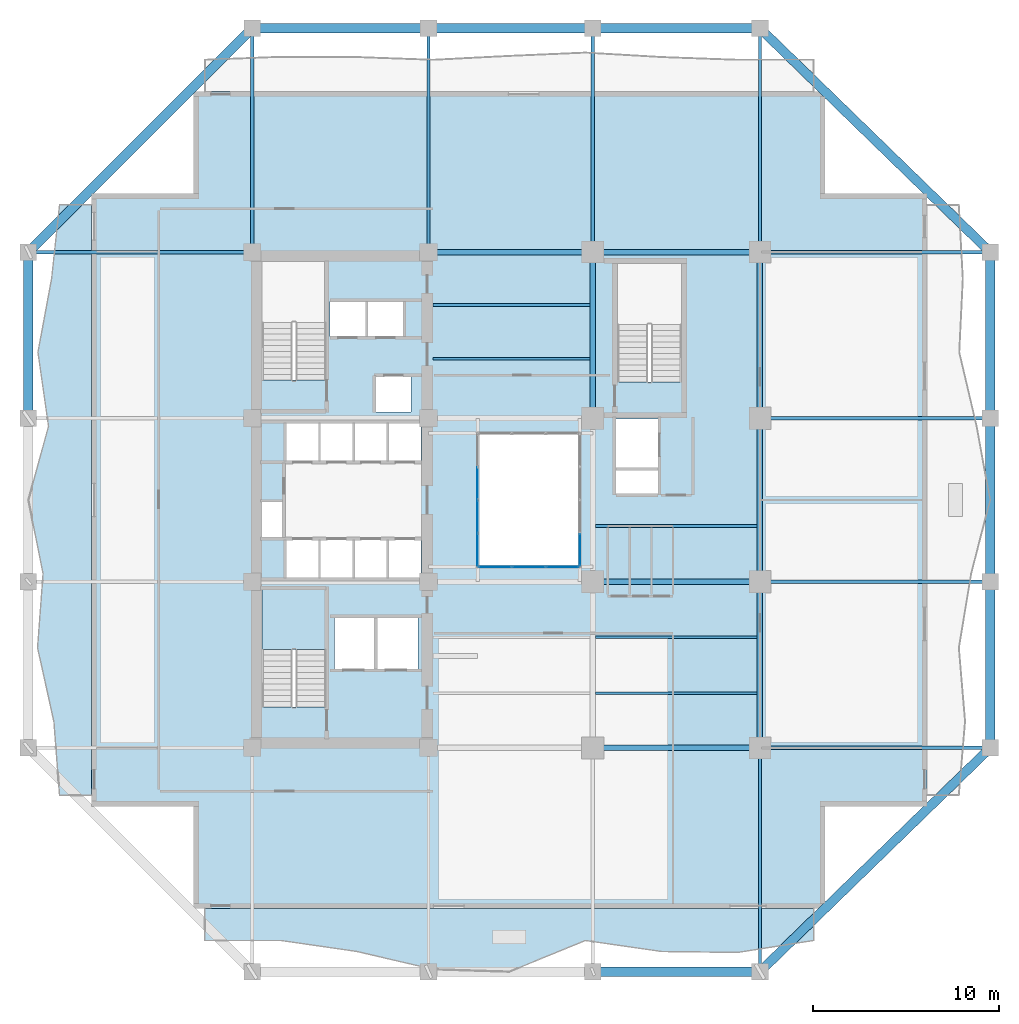
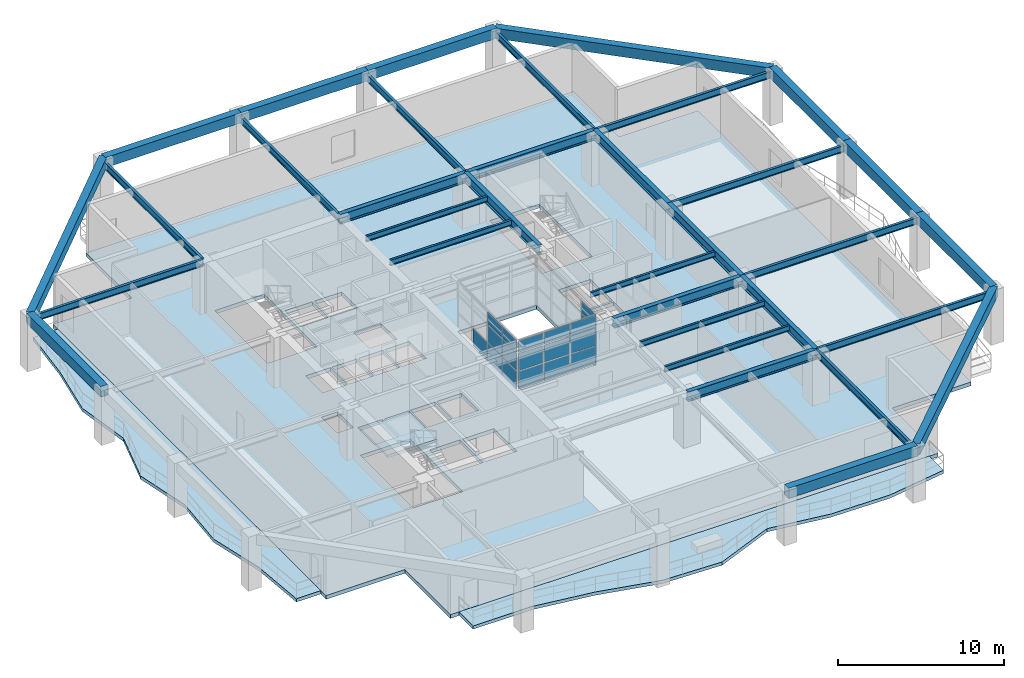
# One storey, part 5 of 17: 34 beams, 19 plates, 4 slabs, 4 elements without a shape of their own.
"""IFC4 building model written with IfcOpenShell, lengths in metres."""

from ifc_helpers import new_model, si_unit, direction, frame, origin, origin_2d, place, context, subcontext, project, spatial, polyline, rectangle, i_section, outline, extrude, material, layer, layer_set, material_profile, profile_set, type_object, element, aggregate, save


model = new_model("IFC4")

# Units and contexts
model_context = context("Model", 3, precision=1e-05, world=origin(), true_north=direction((0.0, 1.0)))
body_context = subcontext(model_context, "Body", "Model", "MODEL_VIEW")
ifc_project = project(units=[si_unit("LENGTHUNIT", "METRE"), si_unit("AREAUNIT", "SQUARE_METRE"), si_unit("VOLUMEUNIT", "CUBIC_METRE"), si_unit("PLANEANGLEUNIT", "RADIAN"), si_unit("MASSUNIT", "GRAM", prefix="KILO")], contexts=[model_context])

# Site, building, storey
site_placement = place(None, origin())
site = spatial("IfcSite", under=ifc_project, at=site_placement, CompositionType="ELEMENT")
building_placement = place(site_placement, origin())
building = spatial("IfcBuilding", under=site, at=building_placement, Name="Kundavana Baori Tower", CompositionType="ELEMENT")
storey_placement = place(building_placement, frame((0.0, 0.0, 30.0)))
storey = spatial("IfcBuildingStorey", under=building, at=storey_placement, Name="L06", CompositionType="ELEMENT", Elevation=30.0)

# Beams
ifc_material_1 = material(Name="Structural Steel S355JR", Category="steel")
ifc_material_profile_1 = material_profile(ifc_material_1, i_section(OverallWidth=0.139892578125, OverallDepth=0.39990234375, WebThickness=0.0087890625, FlangeThickness=0.01611328125, FilletRadius=0.013916015625, at=origin_2d()), Name="ISMB 400")
ifc_profile_set_1 = profile_set([ifc_material_profile_1], Name="Structural Steel S355JR")
beam_type_1 = type_object("IfcBeamType", Name="BM-JST-400", PredefinedType="JOIST", material=ifc_profile_set_1)
for number, where, z_axis, x_axis, name in (
    (1, (25.179931640625, 36.199951171875, 3.52001953125), (1.0, 0.0, 0.0), (0.0, 1.0, 0.0), "L06 Central Bay Composite Floor Joist C3"),
    (2, (25.179931640625, 39.10009765625, 3.52001953125), (1.0, 0.0, 0.0), (0.0, 1.0, 0.0), "L06 Central Bay Composite Floor Joist C4"),
):
    element("IfcBeam", number, at=place(storey_placement, frame(where, z_axis=z_axis, x_axis=x_axis)), inside=storey, type_object=beam_type_1, Name=name, PredefinedType="JOIST", context=body_context, shape_type="SweptSolid", body=[
        extrude(i_section(OverallWidth=0.139892578125, OverallDepth=0.39990234375, WebThickness=0.0087890625, FlangeThickness=0.01611328125, FilletRadius=0.013916015625, at=origin_2d()), origin(), (0.0, 0.0, 1.0), 8.469970703125),
    ])
for number, where, z_axis, x_axis, name in (
    (3, (33.949951171875, 18.199951171875, 3.52001953125), (1.0, 0.0, 0.0), (0.0, 1.0, 0.0), "L06 East Bay Composite Floor Joist E1"),
    (4, (33.949951171875, 21.199951171875, 3.52001953125), (1.0, 0.0, 0.0), (0.0, 1.0, 0.0), "L06 East Bay Composite Floor Joist E2"),
    (5, (33.949951171875, 27.199951171875, 3.52001953125), (1.0, 0.0, 0.0), (0.0, 1.0, 0.0), "L06 East Bay Composite Floor Joist E3"),
):
    element("IfcBeam", number, at=place(storey_placement, frame(where, z_axis=z_axis, x_axis=x_axis)), inside=storey, type_object=beam_type_1, Name=name, PredefinedType="JOIST", context=body_context, shape_type="SweptSolid", body=[
        extrude(i_section(OverallWidth=0.139892578125, OverallDepth=0.39990234375, WebThickness=0.0087890625, FlangeThickness=0.01611328125, FilletRadius=0.013916015625, at=origin_2d()), origin(), (0.0, 0.0, 1.0), 8.699951171875),
    ])
ifc_material_2 = material(Name="Concrete C50/60", Category="concrete")
ifc_material_profile_2 = material_profile(ifc_material_2, rectangle(XDim=0.5, YDim=0.75, at=origin_2d()), Name="RC BM 500x750")
ifc_profile_set_2 = profile_set([ifc_material_profile_2], Name="Concrete C50/60")
beam_type_2 = type_object("IfcBeamType", Name="BM-PF-750", PredefinedType="SPANDREL", material=ifc_profile_set_2)
beam_1_placement = place(storey_placement, frame((33.800048828125, 3.199951171875, 3.625), z_axis=(1.0, 0.0, 0.0), x_axis=(0.0, 1.0, 0.0)))
element("IfcBeam", 6, at=beam_1_placement, inside=storey, type_object=beam_type_2, Name="L06 Perimeter Frame Ring Beam S3", PredefinedType="SPANDREL", context=body_context, shape_type="SweptSolid", body=[
    extrude(rectangle(XDim=0.5, YDim=0.75, at=origin_2d()), origin(), (0.0, 0.0, 1.0), 9.0),
])
beam_2_placement = place(storey_placement, frame((15.449951171875, 54.0, 3.625), z_axis=(1.0, 0.0, 0.0), x_axis=(0.0, 1.0, 0.0)))
element("IfcBeam", 7, at=beam_2_placement, inside=storey, type_object=beam_type_2, Name="L06 Perimeter Frame Ring Beam N1", PredefinedType="SPANDREL", context=body_context, shape_type="SweptSolid", body=[
    extrude(rectangle(XDim=0.5, YDim=0.75, at=origin_2d()), origin(), (0.0, 0.0, 1.0), 9.5),
])
beam_3_placement = place(storey_placement, frame((24.949951171875, 54.0, 3.625), z_axis=(1.0, 0.0, 0.0), x_axis=(0.0, 1.0, 0.0)))
element("IfcBeam", 8, at=beam_3_placement, inside=storey, type_object=beam_type_2, Name="L06 Perimeter Frame Ring Beam N2", PredefinedType="SPANDREL", context=body_context, shape_type="SweptSolid", body=[
    extrude(rectangle(XDim=0.5, YDim=0.75, at=origin_2d()), origin(), (0.0, 0.0, 1.0), 8.85009765625),
])
beam_4_placement = place(storey_placement, frame((33.800048828125, 54.0, 3.625), z_axis=(1.0, 0.0, 0.0), x_axis=(0.0, 1.0, 0.0)))
element("IfcBeam", 9, at=beam_4_placement, inside=storey, type_object=beam_type_2, Name="L06 Perimeter Frame Ring Beam N3", PredefinedType="SPANDREL", context=body_context, shape_type="SweptSolid", body=[
    extrude(rectangle(XDim=0.5, YDim=0.75, at=origin_2d()), origin(), (0.0, 0.0, 1.0), 9.0),
])
for number, where, z_axis, x_axis, name in (
    (10, (3.39990234375, 33.0, 3.625), (0.0, 1.0, 0.0), (-1.0, 0.0, 0.0), "L06 Perimeter Frame Ring Beam W3"),
    (11, (55.199951171875, 15.25, 3.625), (0.0, 1.0, 0.0), (-1.0, 0.0, 0.0), "L06 Perimeter Frame Ring Beam E1"),
):
    element("IfcBeam", number, at=place(storey_placement, frame(where, z_axis=z_axis, x_axis=x_axis)), inside=storey, type_object=beam_type_2, Name=name, PredefinedType="SPANDREL", context=body_context, shape_type="SweptSolid", body=[
        extrude(rectangle(XDim=0.5, YDim=0.75, at=origin_2d()), origin(), (0.0, 0.0, 1.0), 8.949951171875),
    ])
beam_5_placement = place(storey_placement, frame((55.199951171875, 24.199951171875, 3.625), z_axis=(0.0, 1.0, 0.0), x_axis=(-1.0, 0.0, 0.0)))
element("IfcBeam", 12, at=beam_5_placement, inside=storey, type_object=beam_type_2, Name="L06 Perimeter Frame Ring Beam E2", PredefinedType="SPANDREL", context=body_context, shape_type="SweptSolid", body=[
    extrude(rectangle(XDim=0.5, YDim=0.75, at=origin_2d()), origin(), (0.0, 0.0, 1.0), 8.800048828125),
])
beam_6_placement = place(storey_placement, frame((55.199951171875, 33.0, 3.625), z_axis=(0.0, 1.0, 0.0), x_axis=(-1.0, 0.0, 0.0)))
element("IfcBeam", 13, at=beam_6_placement, inside=storey, type_object=beam_type_2, Name="L06 Perimeter Frame Ring Beam E3", PredefinedType="SPANDREL", context=body_context, shape_type="SweptSolid", body=[
    extrude(rectangle(XDim=0.5, YDim=0.75, at=origin_2d()), origin(), (0.0, 0.0, 1.0), 8.949951171875),
])
beam_7_placement = place(storey_placement, frame((42.800048828125, 3.199951171875, 3.625), z_axis=(0.717151334594, 0.696917472367, 0.0), x_axis=(-0.696917472367, 0.717151334594, 0.0)))
element("IfcBeam", 14, at=beam_7_placement, inside=storey, type_object=beam_type_2, Name="L06 Notched Corner Perimeter Beam SE", PredefinedType="SPANDREL", context=body_context, shape_type="SweptSolid", body=[
    extrude(rectangle(XDim=0.5, YDim=0.75, at=origin_2d()), origin(), (0.0, 0.0, 1.0), 17.29052734375),
])
beam_8_placement = place(storey_placement, frame((15.449951171875, 54.0, 3.625), z_axis=(-0.707106781187, -0.707106781187, 0.0), x_axis=(0.707106781187, -0.707106781187, 0.0)))
element("IfcBeam", 15, at=beam_8_placement, inside=storey, type_object=beam_type_2, Name="L06 Notched Corner Perimeter Beam NW", PredefinedType="SPANDREL", context=body_context, shape_type="SweptSolid", body=[
    extrude(rectangle(XDim=0.5, YDim=0.75, at=origin_2d()), origin(), (0.0, 0.0, 1.0), 17.041259765625),
])
beam_9_placement = place(storey_placement, frame((42.800048828125, 54.0, 3.625), z_axis=(0.717151334594, -0.696917472367, 0.0), x_axis=(0.696917472367, 0.717151334594, 0.0)))
element("IfcBeam", 16, at=beam_9_placement, inside=storey, type_object=beam_type_2, Name="L06 Notched Corner Perimeter Beam NE", PredefinedType="SPANDREL", context=body_context, shape_type="SweptSolid", body=[
    extrude(rectangle(XDim=0.5, YDim=0.75, at=origin_2d()), origin(), (0.0, 0.0, 1.0), 17.29052734375),
])
ifc_material_3 = material(Name="Structural Steel S355JR", Category="steel")
ifc_material_profile_3 = material_profile(ifc_material_3, i_section(OverallWidth=0.300048828125, OverallDepth=0.699951171875, WebThickness=0.014404296875, FlangeThickness=0.02392578125, FilletRadius=0.02392578125, at=origin_2d()), Name="NPB 700x300x170")
ifc_profile_set_3 = profile_set([ifc_material_profile_3], Name="Structural Steel S355JR")
beam_type_3 = type_object("IfcBeamType", Name="BM-ST-700", PredefinedType="BEAM", material=ifc_profile_set_3)
for number, where, z_axis, x_axis, name in (
    (17, (33.800048828125, 15.25, 3.3701171875), (1.0, 0.0, 0.0), (0.0, 1.0, 0.0), "L06 Primary Grid Girder GX-1-3"),
    (18, (33.800048828125, 24.199951171875, 3.3701171875), (1.0, 0.0, 0.0), (0.0, 1.0, 0.0), "L06 Primary Grid Girder GX-2-3"),
):
    element("IfcBeam", number, at=place(storey_placement, frame(where, z_axis=z_axis, x_axis=x_axis)), inside=storey, type_object=beam_type_3, Name=name, PredefinedType="BEAM", context=body_context, shape_type="SweptSolid", body=[
        extrude(i_section(OverallWidth=0.300048828125, OverallDepth=0.699951171875, WebThickness=0.014404296875, FlangeThickness=0.02392578125, FilletRadius=0.02392578125, at=origin_2d()), origin(), (0.0, 0.0, 1.0), 9.0),
    ])
beam_10_placement = place(storey_placement, frame((24.949951171875, 41.949951171875, 3.3701171875), z_axis=(1.0, 0.0, 0.0), x_axis=(0.0, 1.0, 0.0)))
element("IfcBeam", 19, at=beam_10_placement, inside=storey, type_object=beam_type_3, Name="L06 Primary Grid Girder GX-4-2", PredefinedType="BEAM", context=body_context, shape_type="SweptSolid", body=[
    extrude(i_section(OverallWidth=0.300048828125, OverallDepth=0.699951171875, WebThickness=0.014404296875, FlangeThickness=0.02392578125, FilletRadius=0.02392578125, at=origin_2d()), origin(), (0.0, 0.0, 1.0), 8.85009765625),
])
beam_11_placement = place(storey_placement, frame((33.800048828125, 41.949951171875, 3.3701171875), z_axis=(1.0, 0.0, 0.0), x_axis=(0.0, 1.0, 0.0)))
element("IfcBeam", 20, at=beam_11_placement, inside=storey, type_object=beam_type_3, Name="L06 Primary Grid Girder GX-4-3", PredefinedType="BEAM", context=body_context, shape_type="SweptSolid", body=[
    extrude(i_section(OverallWidth=0.300048828125, OverallDepth=0.699951171875, WebThickness=0.014404296875, FlangeThickness=0.02392578125, FilletRadius=0.02392578125, at=origin_2d()), origin(), (0.0, 0.0, 1.0), 9.0),
])
for number, where, z_axis, x_axis, name in (
    (21, (33.800048828125, 33.0, 3.3701171875), (0.0, 1.0, 0.0), (-1.0, 0.0, 0.0), "L06 Primary Grid Girder GY-3-3"),
    (22, (42.800048828125, 15.25, 3.3701171875), (0.0, 1.0, 0.0), (-1.0, 0.0, 0.0), "L06 Primary Grid Girder GY-4-1"),
):
    element("IfcBeam", number, at=place(storey_placement, frame(where, z_axis=z_axis, x_axis=x_axis)), inside=storey, type_object=beam_type_3, Name=name, PredefinedType="BEAM", context=body_context, shape_type="SweptSolid", body=[
        extrude(i_section(OverallWidth=0.300048828125, OverallDepth=0.699951171875, WebThickness=0.014404296875, FlangeThickness=0.02392578125, FilletRadius=0.02392578125, at=origin_2d()), origin(), (0.0, 0.0, 1.0), 8.949951171875),
    ])
beam_12_placement = place(storey_placement, frame((42.800048828125, 24.199951171875, 3.3701171875), z_axis=(0.0, 1.0, 0.0), x_axis=(-1.0, 0.0, 0.0)))
element("IfcBeam", 23, at=beam_12_placement, inside=storey, type_object=beam_type_3, Name="L06 Primary Grid Girder GY-4-2", PredefinedType="BEAM", context=body_context, shape_type="SweptSolid", body=[
    extrude(i_section(OverallWidth=0.300048828125, OverallDepth=0.699951171875, WebThickness=0.014404296875, FlangeThickness=0.02392578125, FilletRadius=0.02392578125, at=origin_2d()), origin(), (0.0, 0.0, 1.0), 8.800048828125),
])
beam_13_placement = place(storey_placement, frame((42.800048828125, 33.0, 3.3701171875), z_axis=(0.0, 1.0, 0.0), x_axis=(-1.0, 0.0, 0.0)))
element("IfcBeam", 24, at=beam_13_placement, inside=storey, type_object=beam_type_3, Name="L06 Primary Grid Girder GY-4-3", PredefinedType="BEAM", context=body_context, shape_type="SweptSolid", body=[
    extrude(i_section(OverallWidth=0.300048828125, OverallDepth=0.699951171875, WebThickness=0.014404296875, FlangeThickness=0.02392578125, FilletRadius=0.02392578125, at=origin_2d()), origin(), (0.0, 0.0, 1.0), 8.949951171875),
])
ifc_material_4 = material(Name="Structural Steel S355JR", Category="steel")
ifc_material_profile_4 = material_profile(ifc_material_4, i_section(OverallWidth=0.179931640625, OverallDepth=0.5, WebThickness=0.01025390625, FlangeThickness=0.01708984375, FilletRadius=0.01708984375, at=origin_2d()), Name="ISMB 500")
ifc_profile_set_4 = profile_set([ifc_material_profile_4], Name="Structural Steel S355JR")
beam_type_4 = type_object("IfcBeamType", Name="BM-TIE-500", PredefinedType="BEAM", material=ifc_profile_set_4)
for number, where, z_axis, x_axis, name in (
    (25, (15.449951171875, 41.949951171875, 3.469970703125), (0.0, 1.0, 0.0), (-1.0, 0.0, 0.0), "L06 North Radial Loggia Tie Beam N1"),
    (26, (24.949951171875, 41.949951171875, 3.469970703125), (0.0, 1.0, 0.0), (-1.0, 0.0, 0.0), "L06 North Radial Loggia Tie Beam N2"),
    (27, (33.800048828125, 41.949951171875, 3.469970703125), (0.0, 1.0, 0.0), (-1.0, 0.0, 0.0), "L06 North Radial Loggia Tie Beam N3"),
    (28, (42.800048828125, 15.25, 3.469970703125), (0.0, -1.0, 0.0), (1.0, 0.0, 0.0), "L06 South Radial Loggia Tie Beam S4"),
    (29, (42.800048828125, 41.949951171875, 3.469970703125), (0.0, 1.0, 0.0), (-1.0, 0.0, 0.0), "L06 North Radial Loggia Tie Beam N4"),
):
    element("IfcBeam", number, at=place(storey_placement, frame(where, z_axis=z_axis, x_axis=x_axis)), inside=storey, type_object=beam_type_4, Name=name, PredefinedType="BEAM", context=body_context, shape_type="SweptSolid", body=[
        extrude(i_section(OverallWidth=0.179931640625, OverallDepth=0.5, WebThickness=0.01025390625, FlangeThickness=0.01708984375, FilletRadius=0.01708984375, at=origin_2d()), origin(), (0.0, 0.0, 1.0), 12.050048828125),
    ])
for number, where, z_axis, x_axis, name in (
    (30, (42.800048828125, 15.25, 3.469970703125), (1.0, 0.0, 0.0), (0.0, 1.0, 0.0), "L06 East Radial Loggia Tie Beam E1"),
    (31, (42.800048828125, 24.199951171875, 3.469970703125), (1.0, 0.0, 0.0), (0.0, 1.0, 0.0), "L06 East Radial Loggia Tie Beam E2"),
    (32, (42.800048828125, 33.0, 3.469970703125), (1.0, 0.0, 0.0), (0.0, 1.0, 0.0), "L06 East Radial Loggia Tie Beam E3"),
):
    element("IfcBeam", number, at=place(storey_placement, frame(where, z_axis=z_axis, x_axis=x_axis)), inside=storey, type_object=beam_type_4, Name=name, PredefinedType="BEAM", context=body_context, shape_type="SweptSolid", body=[
        extrude(i_section(OverallWidth=0.179931640625, OverallDepth=0.5, WebThickness=0.01025390625, FlangeThickness=0.01708984375, FilletRadius=0.01708984375, at=origin_2d()), origin(), (0.0, 0.0, 1.0), 12.39990234375),
    ])
beam_14_placement = place(storey_placement, frame((15.449951171875, 41.949951171875, 3.469970703125), z_axis=(-1.0, 0.0, 0.0), x_axis=(0.0, -1.0, 0.0)))
element("IfcBeam", 33, at=beam_14_placement, inside=storey, type_object=beam_type_4, Name="L06 West Radial Loggia Tie Beam W4", PredefinedType="BEAM", context=body_context, shape_type="SweptSolid", body=[
    extrude(i_section(OverallWidth=0.179931640625, OverallDepth=0.5, WebThickness=0.01025390625, FlangeThickness=0.01708984375, FilletRadius=0.01708984375, at=origin_2d()), origin(), (0.0, 0.0, 1.0), 12.050048828125),
])
beam_15_placement = place(storey_placement, frame((42.800048828125, 41.949951171875, 3.469970703125), z_axis=(1.0, 0.0, 0.0), x_axis=(0.0, 1.0, 0.0)))
element("IfcBeam", 34, at=beam_15_placement, inside=storey, type_object=beam_type_4, Name="L06 East Radial Loggia Tie Beam E4", PredefinedType="BEAM", context=body_context, shape_type="SweptSolid", body=[
    extrude(i_section(OverallWidth=0.179931640625, OverallDepth=0.5, WebThickness=0.01025390625, FlangeThickness=0.01708984375, FilletRadius=0.01708984375, at=origin_2d()), origin(), (0.0, 0.0, 1.0), 12.39990234375),
])

# Curtain wall, plates
ifc_material_5 = material(Name="Thermally Broken Anodised Aluminium Framing", Category="aluminium")
ifc_layer_1 = layer(ifc_material_5, 0.18994140625, Name="CW-SYS-3")
ifc_layer_set_1 = layer_set([ifc_layer_1], Name="Thermally Broken Anodised Aluminium Framing")
curtain_wall_type = type_object("IfcCurtainWallType", Name="CW-SYS-3", PredefinedType="NOTDEFINED", material=ifc_layer_set_1)
curtain_wall_1_placement = place(storey_placement, origin())
curtain_wall_1 = element("IfcCurtainWall", 35, at=curtain_wall_1_placement, inside=storey, type_object=curtain_wall_type, Name="L06 Atrium Glazed Curtain Wall S", PredefinedType="NOTDEFINED")
ifc_material_6 = material(Name="Double-Glazed Solar-Control Low-E Insulated Glass", Category="glass")
ifc_layer_2 = layer(ifc_material_6, 0.028076171875, Name="CW-PNL-GLS28")
ifc_layer_set_2 = layer_set([ifc_layer_2], Name="Double-Glazed Solar-Control Low-E Insulated Glass")
plate_type = type_object("IfcPlateType", Name="CW-PNL-GLS28", PredefinedType="CURTAIN_PANEL", material=ifc_layer_set_2)
plate_1_placement = place(storey_placement, frame((28.532958984375, 25.0, 0.06494140625), z_axis=(0.0, 0.0, 1.0), x_axis=(1.0, 0.0, 0.0)))
plate_1 = element("IfcPlate", 36, at=plate_1_placement, type_object=plate_type, Name="CW3 panel 1.1", PredefinedType="CURTAIN_PANEL", context=body_context, shape_type="SweptSolid", body=[
    extrude(rectangle(XDim=1.73583984375, YDim=0.028076171875, at=origin_2d()), origin(), (0.0, 0.0, 1.0), 1.316162109375),
])
plate_2_placement = place(storey_placement, frame((28.532958984375, 25.0, 1.4462890625), z_axis=(0.0, 0.0, 1.0), x_axis=(1.0, 0.0, 0.0)))
plate_2 = element("IfcPlate", 37, at=plate_2_placement, type_object=plate_type, Name="CW3 panel 1.2", PredefinedType="CURTAIN_PANEL", context=body_context, shape_type="SweptSolid", body=[
    extrude(rectangle(XDim=1.73583984375, YDim=0.028076171875, at=origin_2d()), origin(), (0.0, 0.0, 1.0), 1.274169921875),
])
plate_3_placement = place(storey_placement, frame((28.532958984375, 25.0, 2.785400390625), z_axis=(0.0, 0.0, 1.0), x_axis=(1.0, 0.0, 0.0)))
plate_3 = element("IfcPlate", 38, at=plate_3_placement, type_object=plate_type, Name="CW3 panel 1.3", PredefinedType="CURTAIN_PANEL", context=body_context, shape_type="SweptSolid", body=[
    extrude(rectangle(XDim=1.73583984375, YDim=0.028076171875, at=origin_2d()), origin(), (0.0, 0.0, 1.0), 0.86962890625),
])
plate_4_placement = place(storey_placement, frame((30.35009765625, 25.0, 0.06494140625), z_axis=(0.0, 0.0, 1.0), x_axis=(1.0, 0.0, 0.0)))
plate_4 = element("IfcPlate", 39, at=plate_4_placement, type_object=plate_type, Name="CW3 panel 2.1", PredefinedType="CURTAIN_PANEL", context=body_context, shape_type="SweptSolid", body=[
    extrude(rectangle(XDim=1.768310546875, YDim=0.028076171875, at=origin_2d()), origin(), (0.0, 0.0, 1.0), 1.316162109375),
])
plate_5_placement = place(storey_placement, frame((30.35009765625, 25.0, 1.4462890625), z_axis=(0.0, 0.0, 1.0), x_axis=(1.0, 0.0, 0.0)))
plate_5 = element("IfcPlate", 40, at=plate_5_placement, type_object=plate_type, Name="CW3 panel 2.2", PredefinedType="CURTAIN_PANEL", context=body_context, shape_type="SweptSolid", body=[
    extrude(rectangle(XDim=1.768310546875, YDim=0.028076171875, at=origin_2d()), origin(), (0.0, 0.0, 1.0), 1.274169921875),
])
plate_6_placement = place(storey_placement, frame((30.35009765625, 25.0, 2.785400390625), z_axis=(0.0, 0.0, 1.0), x_axis=(1.0, 0.0, 0.0)))
plate_6 = element("IfcPlate", 41, at=plate_6_placement, type_object=plate_type, Name="CW3 panel 2.3", PredefinedType="CURTAIN_PANEL", context=body_context, shape_type="SweptSolid", body=[
    extrude(rectangle(XDim=1.768310546875, YDim=0.028076171875, at=origin_2d()), origin(), (0.0, 0.0, 1.0), 0.86962890625),
])
plate_7_placement = place(storey_placement, frame((32.1669921875, 25.0, 0.06494140625), z_axis=(0.0, 0.0, 1.0), x_axis=(1.0, 0.0, 0.0)))
plate_7 = element("IfcPlate", 42, at=plate_7_placement, type_object=plate_type, Name="CW3 panel 3.1", PredefinedType="CURTAIN_PANEL", context=body_context, shape_type="SweptSolid", body=[
    extrude(rectangle(XDim=1.73583984375, YDim=0.028076171875, at=origin_2d()), origin(), (0.0, 0.0, 1.0), 1.316162109375),
])
plate_8_placement = place(storey_placement, frame((32.1669921875, 25.0, 1.4462890625), z_axis=(0.0, 0.0, 1.0), x_axis=(1.0, 0.0, 0.0)))
plate_8 = element("IfcPlate", 43, at=plate_8_placement, type_object=plate_type, Name="CW3 panel 3.2", PredefinedType="CURTAIN_PANEL", context=body_context, shape_type="SweptSolid", body=[
    extrude(rectangle(XDim=1.73583984375, YDim=0.028076171875, at=origin_2d()), origin(), (0.0, 0.0, 1.0), 1.274169921875),
])
plate_9_placement = place(storey_placement, frame((32.1669921875, 25.0, 2.785400390625), z_axis=(0.0, 0.0, 1.0), x_axis=(1.0, 0.0, 0.0)))
plate_9 = element("IfcPlate", 44, at=plate_9_placement, type_object=plate_type, Name="CW3 panel 3.3", PredefinedType="CURTAIN_PANEL", context=body_context, shape_type="SweptSolid", body=[
    extrude(rectangle(XDim=1.73583984375, YDim=0.028076171875, at=origin_2d()), origin(), (0.0, 0.0, 1.0), 0.86962890625),
])
aggregate(curtain_wall_1, [plate_1, plate_2, plate_3, plate_4, plate_5, plate_6, plate_7, plate_8, plate_9])

curtain_wall_2_placement = place(storey_placement, origin())
curtain_wall_2 = element("IfcCurtainWall", 45, at=curtain_wall_2_placement, inside=storey, type_object=curtain_wall_type, Name="L06 Atrium Glazed Curtain Wall E", PredefinedType="NOTDEFINED")
plate_10_placement = place(storey_placement, frame((33.10009765625, 25.916259765625, 0.06494140625), z_axis=(0.0, 0.0, 1.0), x_axis=(0.0, 1.0, 0.0)))
plate_10 = element("IfcPlate", 46, at=plate_10_placement, type_object=plate_type, Name="CW3 panel 1.1", PredefinedType="CURTAIN_PANEL", context=body_context, shape_type="SweptSolid", body=[
    extrude(rectangle(XDim=1.702392578125, YDim=0.028076171875, at=origin_2d()), origin(), (0.0, 0.0, 1.0), 1.316162109375),
])
plate_11_placement = place(storey_placement, frame((33.10009765625, 25.916259765625, 1.4462890625), z_axis=(0.0, 0.0, 1.0), x_axis=(0.0, 1.0, 0.0)))
plate_11 = element("IfcPlate", 47, at=plate_11_placement, type_object=plate_type, Name="CW3 panel 1.2", PredefinedType="CURTAIN_PANEL", context=body_context, shape_type="SweptSolid", body=[
    extrude(rectangle(XDim=1.702392578125, YDim=0.028076171875, at=origin_2d()), origin(), (0.0, 0.0, 1.0), 1.274169921875),
])
plate_12_placement = place(storey_placement, frame((33.10009765625, 25.916259765625, 2.785400390625), z_axis=(0.0, 0.0, 1.0), x_axis=(0.0, 1.0, 0.0)))
plate_12 = element("IfcPlate", 48, at=plate_12_placement, type_object=plate_type, Name="CW3 panel 1.3", PredefinedType="CURTAIN_PANEL", context=body_context, shape_type="SweptSolid", body=[
    extrude(rectangle(XDim=1.702392578125, YDim=0.028076171875, at=origin_2d()), origin(), (0.0, 0.0, 1.0), 0.86962890625),
])
aggregate(curtain_wall_2, [plate_10, plate_11, plate_12])

curtain_wall_3_placement = place(storey_placement, origin())
curtain_wall_3 = element("IfcCurtainWall", 49, at=curtain_wall_3_placement, inside=storey, type_object=curtain_wall_type, Name="L06 Atrium Glazed Curtain Wall W", PredefinedType="NOTDEFINED")
plate_13_placement = place(storey_placement, frame((27.60009765625, 29.5, 0.06494140625), z_axis=(0.0, 0.0, 1.0), x_axis=(0.0, -1.0, 0.0)))
plate_13 = element("IfcPlate", 50, at=plate_13_placement, type_object=plate_type, Name="CW3 panel 2.1", PredefinedType="CURTAIN_PANEL", context=body_context, shape_type="SweptSolid", body=[
    extrude(rectangle(XDim=1.735107421875, YDim=0.028076171875, at=origin_2d()), origin(), (0.0, 0.0, 1.0), 1.316162109375),
])
plate_14_placement = place(storey_placement, frame((27.60009765625, 27.699951171875, 0.06494140625), z_axis=(0.0, 0.0, 1.0), x_axis=(0.0, -1.0, 0.0)))
plate_14 = element("IfcPlate", 51, at=plate_14_placement, type_object=plate_type, Name="CW3 panel 3.1", PredefinedType="CURTAIN_PANEL", context=body_context, shape_type="SweptSolid", body=[
    extrude(rectangle(XDim=1.735107421875, YDim=0.028076171875, at=origin_2d()), origin(), (0.0, 0.0, 1.0), 1.316162109375),
])
plate_15_placement = place(storey_placement, frame((27.60009765625, 27.699951171875, 1.4462890625), z_axis=(0.0, 0.0, 1.0), x_axis=(0.0, -1.0, 0.0)))
plate_15 = element("IfcPlate", 52, at=plate_15_placement, type_object=plate_type, Name="CW3 panel 3.2", PredefinedType="CURTAIN_PANEL", context=body_context, shape_type="SweptSolid", body=[
    extrude(rectangle(XDim=1.735107421875, YDim=0.028076171875, at=origin_2d()), origin(), (0.0, 0.0, 1.0), 1.274169921875),
])
plate_16_placement = place(storey_placement, frame((27.60009765625, 27.699951171875, 2.785400390625), z_axis=(0.0, 0.0, 1.0), x_axis=(0.0, -1.0, 0.0)))
plate_16 = element("IfcPlate", 53, at=plate_16_placement, type_object=plate_type, Name="CW3 panel 3.3", PredefinedType="CURTAIN_PANEL", context=body_context, shape_type="SweptSolid", body=[
    extrude(rectangle(XDim=1.735107421875, YDim=0.028076171875, at=origin_2d()), origin(), (0.0, 0.0, 1.0), 0.86962890625),
])
plate_17_placement = place(storey_placement, frame((27.60009765625, 25.916259765625, 0.06494140625), z_axis=(0.0, 0.0, 1.0), x_axis=(0.0, -1.0, 0.0)))
plate_17 = element("IfcPlate", 54, at=plate_17_placement, type_object=plate_type, Name="CW3 panel 4.1", PredefinedType="CURTAIN_PANEL", context=body_context, shape_type="SweptSolid", body=[
    extrude(rectangle(XDim=1.702392578125, YDim=0.028076171875, at=origin_2d()), origin(), (0.0, 0.0, 1.0), 1.316162109375),
])
plate_18_placement = place(storey_placement, frame((27.60009765625, 25.916259765625, 1.4462890625), z_axis=(0.0, 0.0, 1.0), x_axis=(0.0, -1.0, 0.0)))
plate_18 = element("IfcPlate", 55, at=plate_18_placement, type_object=plate_type, Name="CW3 panel 4.2", PredefinedType="CURTAIN_PANEL", context=body_context, shape_type="SweptSolid", body=[
    extrude(rectangle(XDim=1.702392578125, YDim=0.028076171875, at=origin_2d()), origin(), (0.0, 0.0, 1.0), 1.274169921875),
])
plate_19_placement = place(storey_placement, frame((27.60009765625, 25.916259765625, 2.785400390625), z_axis=(0.0, 0.0, 1.0), x_axis=(0.0, -1.0, 0.0)))
plate_19 = element("IfcPlate", 56, at=plate_19_placement, type_object=plate_type, Name="CW3 panel 4.3", PredefinedType="CURTAIN_PANEL", context=body_context, shape_type="SweptSolid", body=[
    extrude(rectangle(XDim=1.702392578125, YDim=0.028076171875, at=origin_2d()), origin(), (0.0, 0.0, 1.0), 0.86962890625),
])
aggregate(curtain_wall_3, [plate_13, plate_14, plate_15, plate_16, plate_17, plate_18, plate_19])

# Slab
ifc_material_7 = material(Name="Concrete C40/50", Category="concrete")
ifc_layer_3 = layer(ifc_material_7, 0.280029296875, Name="SLB-FLR-280")
ifc_layer_set_3 = layer_set([ifc_layer_3], Name="Concrete C40/50")
slab_type_1 = type_object("IfcSlabType", Name="SLB-FLR-280", PredefinedType="FLOOR", material=ifc_layer_set_3)
slab_1_placement = place(storey_placement, frame((0.0, 0.0, -0.280029296875)))
element("IfcSlab", 57, at=slab_1_placement, inside=storey, type_object=slab_type_1, Name="L06 Structural Floor Slab", PredefinedType="FLOOR", context=body_context, shape_type="SweptSolid", body=[
    extrude(outline(polyline([(12.300048828125, 6.60009765625), (46.300048828125, 6.60009765625), (46.300048828125, 12.10009765625), (51.800048828125, 12.10009765625), (51.800048828125, 45.10009765625), (46.300048828125, 45.10009765625), (46.300048828125, 50.60009765625), (12.300048828125, 50.60009765625), (12.300048828125, 45.10009765625), (6.800048828125, 45.10009765625), (6.800048828125, 12.10009765625), (12.300048828125, 12.10009765625), (12.300048828125, 6.60009765625)]), holes=[polyline([(19.43994140625, 17.4619140625), (19.43994140625, 23.85009765625), (15.97998046875, 23.85009765625), (15.97998046875, 17.4619140625), (19.43994140625, 17.4619140625)]), polyline([(19.43994140625, 35.06201171875), (19.43994140625, 41.449951171875), (15.97998046875, 41.449951171875), (15.97998046875, 35.06201171875), (19.43994140625, 35.06201171875)]), polyline([(38.580078125, 34.9619140625), (38.580078125, 41.35009765625), (35.1201171875, 41.35009765625), (35.1201171875, 34.9619140625), (38.580078125, 34.9619140625)]), polyline([(17.300048828125, 24.39990234375), (19.02001953125, 24.39990234375), (19.02001953125, 26.449951171875), (17.300048828125, 26.449951171875), (17.300048828125, 24.39990234375)]), polyline([(19.139892578125, 24.39990234375), (20.860107421875, 24.39990234375), (20.860107421875, 26.449951171875), (19.139892578125, 26.449951171875), (19.139892578125, 24.39990234375)]), polyline([(20.97998046875, 24.39990234375), (22.699951171875, 24.39990234375), (22.699951171875, 26.449951171875), (20.97998046875, 26.449951171875), (20.97998046875, 24.39990234375)]), polyline([(22.820068359375, 24.39990234375), (24.5400390625, 24.39990234375), (24.5400390625, 26.449951171875), (22.820068359375, 26.449951171875), (22.820068359375, 24.39990234375)]), polyline([(17.300048828125, 30.699951171875), (19.02001953125, 30.699951171875), (19.02001953125, 32.75), (17.300048828125, 32.75), (17.300048828125, 30.699951171875)]), polyline([(19.139892578125, 30.699951171875), (20.860107421875, 30.699951171875), (20.860107421875, 32.75), (19.139892578125, 32.75), (19.139892578125, 30.699951171875)]), polyline([(20.97998046875, 30.699951171875), (22.699951171875, 30.699951171875), (22.699951171875, 32.75), (20.97998046875, 32.75), (20.97998046875, 30.699951171875)]), polyline([(22.820068359375, 30.699951171875), (24.5400390625, 30.699951171875), (24.5400390625, 32.75), (22.820068359375, 32.75), (22.820068359375, 30.699951171875)]), polyline([(19.64990234375, 37.39990234375), (21.550048828125, 37.39990234375), (21.550048828125, 39.300048828125), (19.64990234375, 39.300048828125), (19.64990234375, 37.39990234375)]), polyline([(21.699951171875, 37.39990234375), (23.60009765625, 37.39990234375), (23.60009765625, 39.300048828125), (21.699951171875, 39.300048828125), (21.699951171875, 37.39990234375)]), polyline([(22.10009765625, 33.35009765625), (24.0, 33.35009765625), (24.0, 35.25), (22.10009765625, 35.25), (22.10009765625, 33.35009765625)]), polyline([(19.8798828125, 19.5), (22.02001953125, 19.5), (22.02001953125, 22.25), (19.8798828125, 22.25), (19.8798828125, 19.5)]), polyline([(22.179931640625, 19.5), (24.3798828125, 19.5), (24.3798828125, 22.25), (22.179931640625, 22.25), (22.179931640625, 19.5)]), polyline([(35.050048828125, 30.35009765625), (37.300048828125, 30.35009765625), (37.300048828125, 32.949951171875), (35.050048828125, 32.949951171875), (35.050048828125, 30.35009765625)]), polyline([(15.949951171875, 26.60009765625), (17.080078125, 26.60009765625), (17.080078125, 28.5), (15.949951171875, 28.5), (15.949951171875, 26.60009765625)]), polyline([(35.050048828125, 28.949951171875), (37.300048828125, 28.949951171875), (37.300048828125, 30.199951171875), (35.050048828125, 30.199951171875), (35.050048828125, 28.949951171875)]), polyline([(27.60009765625, 25.0), (33.10009765625, 25.0), (33.10009765625, 32.199951171875), (27.60009765625, 32.199951171875), (27.60009765625, 25.0)])]), origin(), (0.0, 0.0, 1.0), 0.280029296875),
])

# Stair, slab
ifc_material_8 = material(Name="Concrete C40/50", Category="concrete")
stair_type = type_object("IfcStairType", Name="STR-DOG-1650", PredefinedType="HALF_TURN_STAIR", material=ifc_material_8)
stair_placement = place(storey_placement, origin())
stair = element("IfcStair", 58, at=stair_placement, inside=storey, type_object=stair_type, Name="L06 Protected Exit Stair ST1", PredefinedType="HALF_TURN_STAIR")
ifc_material_9 = material(Name="Concrete C40/50", Category="concrete")
ifc_layer_4 = layer(ifc_material_9, 0.199951171875, Name="SLB-LND-200")
ifc_layer_set_4 = layer_set([ifc_layer_4], Name="Concrete C40/50")
slab_type_2 = type_object("IfcSlabType", Name="SLB-LND-200", PredefinedType="LANDING", material=ifc_layer_set_4)
slab_2_placement = place(storey_placement, frame((0.0, 0.0, 1.800048828125)))
slab_2 = element("IfcSlab", 59, at=slab_2_placement, type_object=slab_type_2, Name="ST1 landing 1", PredefinedType="LANDING", context=body_context, shape_type="SweptSolid", body=[
    extrude(outline(polyline([(19.43994140625, 20.550048828125), (19.43994140625, 23.85009765625), (15.97998046875, 23.85009765625), (15.97998046875, 20.550048828125), (19.43994140625, 20.550048828125)])), origin(), (0.0, 0.0, 1.0), 0.199951171875),
])
aggregate(stair, [slab_2])

# Slabs
ifc_material_10 = material(Name="Concrete C40/50", Category="concrete")
ifc_layer_5 = layer(ifc_material_10, 0.239990234375, Name="SLB-LOG-240")
ifc_layer_set_5 = layer_set([ifc_layer_5], Name="Concrete C40/50")
slab_type_3 = type_object("IfcSlabType", Name="SLB-LOG-240", PredefinedType="FLOOR", material=ifc_layer_set_5)
slab_3_placement = place(storey_placement, frame((0.0, 0.0, -0.239990234375)))
element("IfcSlab", 60, at=slab_3_placement, inside=storey, type_object=slab_type_3, Name="L06 Planted Loggia Balcony Slab S", PredefinedType="FLOOR", context=body_context, shape_type="SweptSolid", body=[
    extrude(outline(polyline([(12.89990234375, 6.60009765625), (45.699951171875, 6.60009765625), (45.699951171875, 4.8798828125), (41.60009765625, 4.237060546875), (37.5, 4.285888671875), (33.39990234375, 4.8798828125), (29.300048828125, 3.199951171875), (25.199951171875, 3.327880859375), (21.10009765625, 4.285888671875), (17.0, 4.8798828125), (12.89990234375, 4.8798828125), (12.89990234375, 6.60009765625)])), origin(), (0.0, 0.0, 1.0), 0.239990234375),
])
slab_4_placement = place(storey_placement, frame((0.0, 0.0, -0.239990234375)))
element("IfcSlab", 61, at=slab_4_placement, inside=storey, type_object=slab_type_3, Name="L06 Planted Loggia Balcony Slab W", PredefinedType="FLOOR", context=body_context, shape_type="SweptSolid", body=[
    extrude(outline(polyline([(6.800048828125, 44.5), (6.800048828125, 12.699951171875), (5.080078125, 12.699951171875), (4.77392578125, 16.675048828125), (3.89501953125, 20.64990234375), (4.193115234375, 24.625), (3.39990234375, 28.60009765625), (4.488037109375, 32.574951171875), (3.916015625, 36.550048828125), (4.653076171875, 40.52490234375), (5.080078125, 44.5), (6.800048828125, 44.5)])), origin(), (0.0, 0.0, 1.0), 0.239990234375),
])

save(model, "model.ifc")
